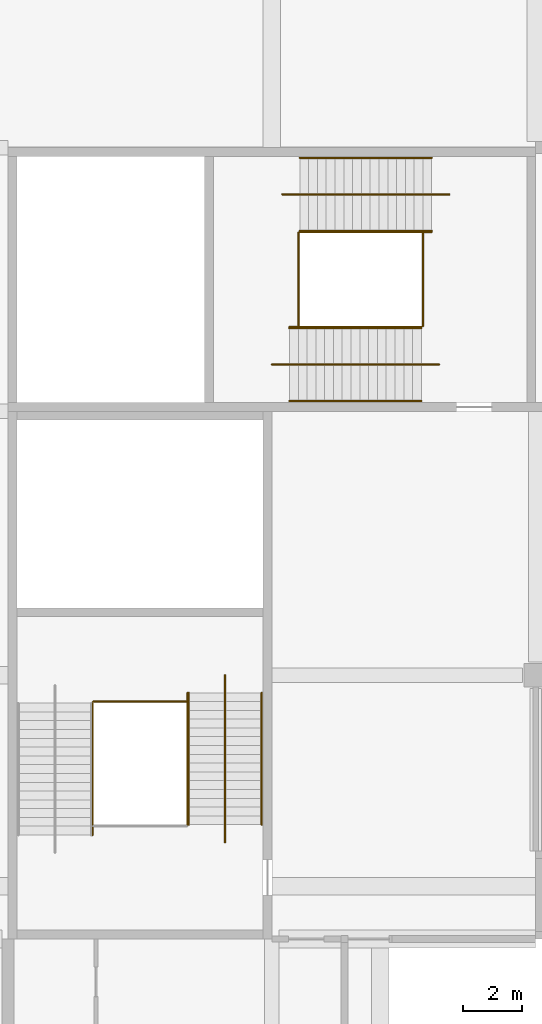
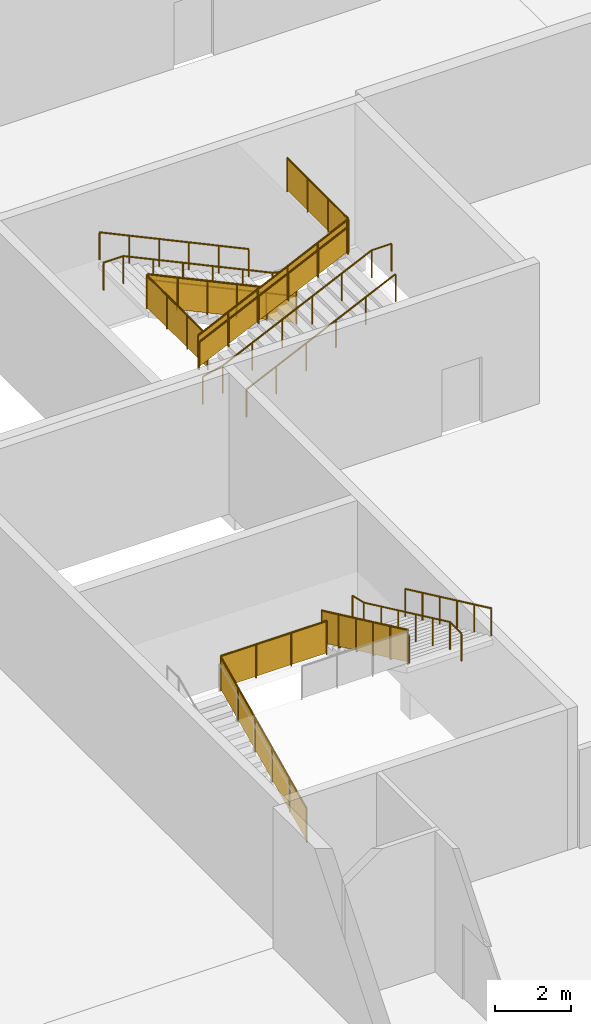
# One storey, part 149 of 168: 16 railings.
"""IFC4 building model written with IfcOpenShell, lengths in metres."""

from ifc_helpers import new_model, si_unit, direction, frame, origin, origin_2d, place, context, subcontext, project, spatial, polyline, circle, outline, extrude, material, type_object, element, save


model = new_model("IFC4")

# Units and contexts
model_context = context("Model", 3, precision=1e-05, world=origin(), true_north=direction((0.0, 1.0)))
body_context = subcontext(model_context, "Body", "Model", "MODEL_VIEW")
ifc_project = project(units=[si_unit("LENGTHUNIT", "METRE"), si_unit("AREAUNIT", "SQUARE_METRE"), si_unit("VOLUMEUNIT", "CUBIC_METRE"), si_unit("PLANEANGLEUNIT", "RADIAN"), si_unit("MASSUNIT", "GRAM", prefix="KILO")], contexts=[model_context])

# Site, building, storey
site_placement = place(None, origin())
site = spatial("IfcSite", under=ifc_project, at=site_placement, CompositionType="ELEMENT")
building_placement = place(site_placement, origin())
building = spatial("IfcBuilding", under=site, at=building_placement, Name="Silverbay Arena", CompositionType="ELEMENT")
storey_placement = place(building_placement, frame((0.0, 0.0, 7.0)))
storey = spatial("IfcBuildingStorey", under=building, at=storey_placement, Name="L01", CompositionType="ELEMENT", Elevation=7.0)

# Railings
ifc_material_1 = material(Name="Stainless steel", Category="steel")
railing_type_1 = type_object("IfcRailingType", Name="Stair guard 1100", PredefinedType="GUARDRAIL", material=ifc_material_1)
railing_1_placement = place(storey_placement, frame((86.453369140625, 123.125, 0.140625)))
element("IfcRailing", 1, at=railing_1_placement, inside=storey, type_object=railing_type_1, Name="Stair ST-NW1 L01 to L02 flight 1 guard left", PredefinedType="GUARDRAIL", context=body_context, shape_type="SweptSolid", body=[
    extrude(circle(Radius=0.02392578125, at=origin_2d()), frame((0.0, 0.0, 1.076171875), z_axis=(-0.905458935959, 0.0, 0.424433876231), x_axis=(0.0, -1.0, 0.0)), (0.0, 0.0, 1.0), 4.969970703125),
    extrude(outline(polyline([(-0.008056640625, 0.046142578125), (0.907958984375, 0.4755859375), (0.907958984375, 1.478515625), (-0.008056640625, 1.04931640625), (-0.008056640625, 0.046142578125)])), frame((0.0, -0.0029296875, 0.0), z_axis=(0.0, 1.0, 0.0), x_axis=(-1.0, 0.0, 0.0)), (0.0, 0.0, 1.0), 0.006103515625),
    extrude(outline(polyline([(-0.008056640625, 0.468017578125), (0.907958984375, 0.8974609375), (0.907958984375, 1.900390625), (-0.008056640625, 1.47119140625), (-0.008056640625, 0.468017578125)])), frame((-0.89990234375, -0.0029296875, 0.0), z_axis=(0.0, 1.0, 0.0), x_axis=(-1.0, 0.0, 0.0)), (0.0, 0.0, 1.0), 0.006103515625),
    extrude(outline(polyline([(-0.008056640625, 0.889892578125), (0.907958984375, 1.3193359375), (0.907958984375, 2.322265625), (-0.008056640625, 1.89306640625), (-0.008056640625, 0.889892578125)])), frame((-1.800048828125, -0.0029296875, 0.0), z_axis=(0.0, 1.0, 0.0), x_axis=(-1.0, 0.0, 0.0)), (0.0, 0.0, 1.0), 0.006103515625),
    extrude(outline(polyline([(-0.008056640625, 1.311767578125), (0.907958984375, 1.7412109375), (0.907958984375, 2.744140625), (-0.008056640625, 2.31494140625), (-0.008056640625, 1.311767578125)])), frame((-2.699951171875, -0.0029296875, 0.0), z_axis=(0.0, 1.0, 0.0), x_axis=(-1.0, 0.0, 0.0)), (0.0, 0.0, 1.0), 0.006103515625),
    extrude(outline(polyline([(-0.008056640625, 1.733642578125), (0.907958984375, 2.1630859375), (0.907958984375, 3.166015625), (-0.008056640625, 2.73681640625), (-0.008056640625, 1.733642578125)])), frame((-3.60009765625, -0.0029296875, 0.0), z_axis=(0.0, 1.0, 0.0), x_axis=(-1.0, 0.0, 0.0)), (0.0, 0.0, 1.0), 0.006103515625),
    extrude(circle(Radius=0.02099609375, at=origin_2d()), origin(), (0.0, 0.0, 1.0), 1.052001953125),
    extrude(circle(Radius=0.02099609375, at=origin_2d()), frame((-0.89990234375, 0.0, 0.421875)), (0.0, 0.0, 1.0), 1.052001953125),
    extrude(circle(Radius=0.02099609375, at=origin_2d()), frame((-1.800048828125, 0.0, 0.84375)), (0.0, 0.0, 1.0), 1.052001953125),
    extrude(circle(Radius=0.02099609375, at=origin_2d()), frame((-2.699951171875, 0.0, 1.265625)), (0.0, 0.0, 1.0), 1.052001953125),
    extrude(circle(Radius=0.02099609375, at=origin_2d()), frame((-3.60009765625, 0.0, 1.6875)), (0.0, 0.0, 1.0), 1.052001953125),
    extrude(circle(Radius=0.02099609375, at=origin_2d()), frame((-4.5, 0.0, 2.109375)), (0.0, 0.0, 1.0), 1.052001953125),
])
railing_2_placement = place(storey_placement, frame((81.60009765625, 119.875, 2.390625)))
element("IfcRailing", 2, at=railing_2_placement, inside=storey, type_object=railing_type_1, Name="Stair ST-NW1 L01 to L02 flight 2 guard right", PredefinedType="GUARDRAIL", context=body_context, shape_type="SweptSolid", body=[
    extrude(circle(Radius=0.02392578125, at=origin_2d()), frame((0.0, 0.0, 1.076171875), z_axis=(0.905458935959, 0.0, 0.424433876231), x_axis=(0.0, 1.0, 0.0)), (0.0, 0.0, 1.0), 4.969970703125),
    extrude(outline(polyline([(-0.008056640625, 0.046142578125), (0.907958984375, 0.4755859375), (0.907958984375, 1.478515625), (-0.008056640625, 1.04931640625), (-0.008056640625, 0.046142578125)])), frame((0.0, 0.0029296875, 0.0), z_axis=(0.0, -1.0, 0.0), x_axis=(1.0, 0.0, 0.0)), (0.0, 0.0, 1.0), 0.006103515625),
    extrude(outline(polyline([(-0.008056640625, 0.468017578125), (0.907958984375, 0.8974609375), (0.907958984375, 1.900390625), (-0.008056640625, 1.47119140625), (-0.008056640625, 0.468017578125)])), frame((0.89990234375, 0.0029296875, 0.0), z_axis=(0.0, -1.0, 0.0), x_axis=(1.0, 0.0, 0.0)), (0.0, 0.0, 1.0), 0.006103515625),
    extrude(outline(polyline([(-0.008056640625, 0.889892578125), (0.907958984375, 1.3193359375), (0.907958984375, 2.322265625), (-0.008056640625, 1.89306640625), (-0.008056640625, 0.889892578125)])), frame((1.800048828125, 0.0029296875, 0.0), z_axis=(0.0, -1.0, 0.0), x_axis=(1.0, 0.0, 0.0)), (0.0, 0.0, 1.0), 0.006103515625),
    extrude(outline(polyline([(-0.008056640625, 1.311767578125), (0.907958984375, 1.7412109375), (0.907958984375, 2.744140625), (-0.008056640625, 2.31494140625), (-0.008056640625, 1.311767578125)])), frame((2.699951171875, 0.0029296875, 0.0), z_axis=(0.0, -1.0, 0.0), x_axis=(1.0, 0.0, 0.0)), (0.0, 0.0, 1.0), 0.006103515625),
    extrude(outline(polyline([(-0.008056640625, 1.733642578125), (0.907958984375, 2.1630859375), (0.907958984375, 3.166015625), (-0.008056640625, 2.73681640625), (-0.008056640625, 1.733642578125)])), frame((3.60009765625, 0.0029296875, 0.0), z_axis=(0.0, -1.0, 0.0), x_axis=(1.0, 0.0, 0.0)), (0.0, 0.0, 1.0), 0.006103515625),
    extrude(circle(Radius=0.02099609375, at=origin_2d()), origin(), (0.0, 0.0, 1.0), 1.052001953125),
    extrude(circle(Radius=0.02099609375, at=origin_2d()), frame((0.89990234375, 0.0, 0.421875)), (0.0, 0.0, 1.0), 1.052001953125),
    extrude(circle(Radius=0.02099609375, at=origin_2d()), frame((1.800048828125, 0.0, 0.84375)), (0.0, 0.0, 1.0), 1.052001953125),
    extrude(circle(Radius=0.02099609375, at=origin_2d()), frame((2.699951171875, 0.0, 1.265625)), (0.0, 0.0, 1.0), 1.052001953125),
    extrude(circle(Radius=0.02099609375, at=origin_2d()), frame((3.60009765625, 0.0, 1.6875)), (0.0, 0.0, 1.0), 1.052001953125),
    extrude(circle(Radius=0.02099609375, at=origin_2d()), frame((4.5, 0.0, 2.109375)), (0.0, 0.0, 1.0), 1.052001953125),
])
for number, where, name in (
    (3, (81.9033203125, 119.89990234375, 2.25), "Stair ST-NW1 L01 to L02 landing 1 guard"),
    (4, (86.14990234375, 119.89990234375, 4.5), "Stair ST-NW1 L01 to L02 landing 2 guard"),
):
    element("IfcRailing", number, at=place(storey_placement, frame(where)), inside=storey, type_object=railing_type_1, Name=name, PredefinedType="GUARDRAIL", context=body_context, shape_type="SweptSolid", body=[
        extrude(circle(Radius=0.02392578125, at=origin_2d()), frame((0.0, 0.0, 1.076171875), z_axis=(0.0, 1.0, 0.0), x_axis=(-1.0, 0.0, 0.0)), (0.0, 0.0, 1.0), 3.2001953125),
        extrude(outline(polyline([(-0.008056640625, 0.050048828125), (1.07470703125, 0.050048828125), (1.07470703125, 1.052978515625), (-0.008056640625, 1.052978515625), (-0.008056640625, 0.050048828125)])), frame((-0.0029296875, 0.0, 0.0), z_axis=(1.0, 0.0, 0.0), x_axis=(0.0, 1.0, 0.0)), (0.0, 0.0, 1.0), 0.006103515625),
        extrude(outline(polyline([(-0.008056640625, 0.050048828125), (1.07470703125, 0.050048828125), (1.07470703125, 1.052978515625), (-0.008056640625, 1.052978515625), (-0.008056640625, 0.050048828125)])), frame((-0.0029296875, 1.066650390625, 0.0), z_axis=(1.0, 0.0, 0.0), x_axis=(0.0, 1.0, 0.0)), (0.0, 0.0, 1.0), 0.006103515625),
        extrude(outline(polyline([(-0.008056640625, 0.050048828125), (1.07470703125, 0.050048828125), (1.07470703125, 1.052978515625), (-0.008056640625, 1.052978515625), (-0.008056640625, 0.050048828125)])), frame((-0.0029296875, 2.133544921875, 0.0), z_axis=(1.0, 0.0, 0.0), x_axis=(0.0, 1.0, 0.0)), (0.0, 0.0, 1.0), 0.006103515625),
        extrude(circle(Radius=0.02099609375, at=origin_2d()), origin(), (0.0, 0.0, 1.0), 1.052001953125),
        extrude(circle(Radius=0.02099609375, at=origin_2d()), frame((0.0, 1.066650390625, 0.0)), (0.0, 0.0, 1.0), 1.052001953125),
        extrude(circle(Radius=0.02099609375, at=origin_2d()), frame((0.0, 2.133544921875, 0.0)), (0.0, 0.0, 1.0), 1.052001953125),
        extrude(circle(Radius=0.02099609375, at=origin_2d()), frame((0.0, 3.2001953125, 0.0)), (0.0, 0.0, 1.0), 1.052001953125),
    ])
railing_3_placement = place(storey_placement, frame((74.875, 102.546630859375, 0.140625)))
element("IfcRailing", 5, at=railing_3_placement, inside=storey, type_object=railing_type_1, Name="Stair ST-NW2 L01 to L02 flight 1 guard left", PredefinedType="GUARDRAIL", context=body_context, shape_type="SweptSolid", body=[
    extrude(circle(Radius=0.02392578125, at=origin_2d()), frame((0.0, 0.0, 1.076171875), z_axis=(0.0, 0.905458935959, 0.424433876231), x_axis=(-1.0, 0.0, 0.0)), (0.0, 0.0, 1.0), 4.969970703125),
    extrude(outline(polyline([(-0.008056640625, 0.046142578125), (0.907958984375, 0.4755859375), (0.907958984375, 1.478515625), (-0.008056640625, 1.04931640625), (-0.008056640625, 0.046142578125)])), frame((-0.0029296875, 0.0, 0.0), z_axis=(1.0, 0.0, 0.0), x_axis=(0.0, 1.0, 0.0)), (0.0, 0.0, 1.0), 0.006103515625),
    extrude(outline(polyline([(-0.008056640625, 0.468017578125), (0.907958984375, 0.8974609375), (0.907958984375, 1.900390625), (-0.008056640625, 1.47119140625), (-0.008056640625, 0.468017578125)])), frame((-0.0029296875, 0.89990234375, 0.0), z_axis=(1.0, 0.0, 0.0), x_axis=(0.0, 1.0, 0.0)), (0.0, 0.0, 1.0), 0.006103515625),
    extrude(outline(polyline([(-0.008056640625, 0.889892578125), (0.907958984375, 1.3193359375), (0.907958984375, 2.322265625), (-0.008056640625, 1.89306640625), (-0.008056640625, 0.889892578125)])), frame((-0.0029296875, 1.800048828125, 0.0), z_axis=(1.0, 0.0, 0.0), x_axis=(0.0, 1.0, 0.0)), (0.0, 0.0, 1.0), 0.006103515625),
    extrude(outline(polyline([(-0.008056640625, 1.311767578125), (0.907958984375, 1.7412109375), (0.907958984375, 2.744140625), (-0.008056640625, 2.31494140625), (-0.008056640625, 1.311767578125)])), frame((-0.0029296875, 2.699951171875, 0.0), z_axis=(1.0, 0.0, 0.0), x_axis=(0.0, 1.0, 0.0)), (0.0, 0.0, 1.0), 0.006103515625),
    extrude(outline(polyline([(-0.008056640625, 1.733642578125), (0.907958984375, 2.1630859375), (0.907958984375, 3.166015625), (-0.008056640625, 2.73681640625), (-0.008056640625, 1.733642578125)])), frame((-0.0029296875, 3.60009765625, 0.0), z_axis=(1.0, 0.0, 0.0), x_axis=(0.0, 1.0, 0.0)), (0.0, 0.0, 1.0), 0.006103515625),
    extrude(circle(Radius=0.02099609375, at=origin_2d()), origin(), (0.0, 0.0, 1.0), 1.052001953125),
    extrude(circle(Radius=0.02099609375, at=origin_2d()), frame((0.0, 0.89990234375, 0.421875)), (0.0, 0.0, 1.0), 1.052001953125),
    extrude(circle(Radius=0.02099609375, at=origin_2d()), frame((0.0, 1.800048828125, 0.84375)), (0.0, 0.0, 1.0), 1.052001953125),
    extrude(circle(Radius=0.02099609375, at=origin_2d()), frame((0.0, 2.699951171875, 1.265625)), (0.0, 0.0, 1.0), 1.052001953125),
    extrude(circle(Radius=0.02099609375, at=origin_2d()), frame((0.0, 3.60009765625, 1.6875)), (0.0, 0.0, 1.0), 1.052001953125),
    extrude(circle(Radius=0.02099609375, at=origin_2d()), frame((0.0, 4.5, 2.109375)), (0.0, 0.0, 1.0), 1.052001953125),
])
railing_4_placement = place(storey_placement, frame((78.125, 107.39990234375, 2.390625)))
element("IfcRailing", 6, at=railing_4_placement, inside=storey, type_object=railing_type_1, Name="Stair ST-NW2 L01 to L02 flight 2 guard right", PredefinedType="GUARDRAIL", context=body_context, shape_type="SweptSolid", body=[
    extrude(circle(Radius=0.02392578125, at=origin_2d()), frame((0.0, 0.0, 1.076171875), z_axis=(0.0, -0.905458935959, 0.424433876231), x_axis=(1.0, 0.0, 0.0)), (0.0, 0.0, 1.0), 4.969970703125),
    extrude(outline(polyline([(-0.008056640625, 0.046142578125), (0.907958984375, 0.4755859375), (0.907958984375, 1.478515625), (-0.008056640625, 1.04931640625), (-0.008056640625, 0.046142578125)])), frame((0.0029296875, 0.0, 0.0), z_axis=(-1.0, 0.0, 0.0), x_axis=(0.0, -1.0, 0.0)), (0.0, 0.0, 1.0), 0.006103515625),
    extrude(outline(polyline([(-0.008056640625, 0.468017578125), (0.907958984375, 0.8974609375), (0.907958984375, 1.900390625), (-0.008056640625, 1.47119140625), (-0.008056640625, 0.468017578125)])), frame((0.0029296875, -0.89990234375, 0.0), z_axis=(-1.0, 0.0, 0.0), x_axis=(0.0, -1.0, 0.0)), (0.0, 0.0, 1.0), 0.006103515625),
    extrude(outline(polyline([(-0.008056640625, 0.889892578125), (0.907958984375, 1.3193359375), (0.907958984375, 2.322265625), (-0.008056640625, 1.89306640625), (-0.008056640625, 0.889892578125)])), frame((0.0029296875, -1.800048828125, 0.0), z_axis=(-1.0, 0.0, 0.0), x_axis=(0.0, -1.0, 0.0)), (0.0, 0.0, 1.0), 0.006103515625),
    extrude(outline(polyline([(-0.008056640625, 1.311767578125), (0.907958984375, 1.7412109375), (0.907958984375, 2.744140625), (-0.008056640625, 2.31494140625), (-0.008056640625, 1.311767578125)])), frame((0.0029296875, -2.699951171875, 0.0), z_axis=(-1.0, 0.0, 0.0), x_axis=(0.0, -1.0, 0.0)), (0.0, 0.0, 1.0), 0.006103515625),
    extrude(outline(polyline([(-0.008056640625, 1.733642578125), (0.907958984375, 2.1630859375), (0.907958984375, 3.166015625), (-0.008056640625, 2.73681640625), (-0.008056640625, 1.733642578125)])), frame((0.0029296875, -3.60009765625, 0.0), z_axis=(-1.0, 0.0, 0.0), x_axis=(0.0, -1.0, 0.0)), (0.0, 0.0, 1.0), 0.006103515625),
    extrude(circle(Radius=0.02099609375, at=origin_2d()), origin(), (0.0, 0.0, 1.0), 1.052001953125),
    extrude(circle(Radius=0.02099609375, at=origin_2d()), frame((0.0, -0.89990234375, 0.421875)), (0.0, 0.0, 1.0), 1.052001953125),
    extrude(circle(Radius=0.02099609375, at=origin_2d()), frame((0.0, -1.800048828125, 0.84375)), (0.0, 0.0, 1.0), 1.052001953125),
    extrude(circle(Radius=0.02099609375, at=origin_2d()), frame((0.0, -2.699951171875, 1.265625)), (0.0, 0.0, 1.0), 1.052001953125),
    extrude(circle(Radius=0.02099609375, at=origin_2d()), frame((0.0, -3.60009765625, 1.6875)), (0.0, 0.0, 1.0), 1.052001953125),
    extrude(circle(Radius=0.02099609375, at=origin_2d()), frame((0.0, -4.5, 2.109375)), (0.0, 0.0, 1.0), 1.052001953125),
])
railing_5_placement = place(storey_placement, frame((78.10009765625, 107.0966796875, 2.25)))
element("IfcRailing", 7, at=railing_5_placement, inside=storey, type_object=railing_type_1, Name="Stair ST-NW2 L01 to L02 landing 1 guard", PredefinedType="GUARDRAIL", context=body_context, shape_type="SweptSolid", body=[
    extrude(circle(Radius=0.02392578125, at=origin_2d()), frame((0.0, 0.0, 1.076171875), z_axis=(-1.0, 0.0, 0.0), x_axis=(0.0, -1.0, 0.0)), (0.0, 0.0, 1.0), 3.2001953125),
    extrude(outline(polyline([(-0.008056640625, 0.050048828125), (1.07470703125, 0.050048828125), (1.07470703125, 1.052978515625), (-0.008056640625, 1.052978515625), (-0.008056640625, 0.050048828125)])), frame((0.0, -0.0029296875, 0.0), z_axis=(0.0, 1.0, 0.0), x_axis=(-1.0, 0.0, 0.0)), (0.0, 0.0, 1.0), 0.006103515625),
    extrude(outline(polyline([(-0.008056640625, 0.050048828125), (1.07470703125, 0.050048828125), (1.07470703125, 1.052978515625), (-0.008056640625, 1.052978515625), (-0.008056640625, 0.050048828125)])), frame((-1.066650390625, -0.0029296875, 0.0), z_axis=(0.0, 1.0, 0.0), x_axis=(-1.0, 0.0, 0.0)), (0.0, 0.0, 1.0), 0.006103515625),
    extrude(outline(polyline([(-0.008056640625, 0.050048828125), (1.07470703125, 0.050048828125), (1.07470703125, 1.052978515625), (-0.008056640625, 1.052978515625), (-0.008056640625, 0.050048828125)])), frame((-2.133544921875, -0.0029296875, 0.0), z_axis=(0.0, 1.0, 0.0), x_axis=(-1.0, 0.0, 0.0)), (0.0, 0.0, 1.0), 0.006103515625),
    extrude(circle(Radius=0.02099609375, at=origin_2d()), origin(), (0.0, 0.0, 1.0), 1.052001953125),
    extrude(circle(Radius=0.02099609375, at=origin_2d()), frame((-1.066650390625, 0.0, 0.0)), (0.0, 0.0, 1.0), 1.052001953125),
    extrude(circle(Radius=0.02099609375, at=origin_2d()), frame((-2.133544921875, 0.0, 0.0)), (0.0, 0.0, 1.0), 1.052001953125),
    extrude(circle(Radius=0.02099609375, at=origin_2d()), frame((-3.2001953125, 0.0, 0.0)), (0.0, 0.0, 1.0), 1.052001953125),
])
ifc_material_2 = material(Name="Stainless steel", Category="steel")
railing_type_2 = type_object("IfcRailingType", Name="Stair handrail 900", PredefinedType="HANDRAIL", material=ifc_material_2)
for number, where, name in (
    (8, (86.453369140625, 123.1640625, 0.140625), "Stair ST-NW1 L01 to L02 flight 1 handrail left"),
    (9, (86.453369140625, 125.64990234375, 0.140625), "Stair ST-NW1 L01 to L02 flight 1 handrail right"),
):
    element("IfcRailing", number, at=place(storey_placement, frame(where)), inside=storey, type_object=railing_type_2, Name=name, PredefinedType="HANDRAIL", context=body_context, shape_type="SweptSolid", body=[
        extrude(circle(Radius=0.02392578125, at=origin_2d()), frame((0.0, 0.0, 0.8759765625), z_axis=(-0.905458935959, 0.0, 0.424433876231), x_axis=(0.0, -1.0, 0.0)), (0.0, 0.0, 1.0), 4.969970703125),
        extrude(circle(Radius=0.02099609375, at=origin_2d()), origin(), (0.0, 0.0, 1.0), 0.851806640625),
        extrude(circle(Radius=0.02099609375, at=origin_2d()), frame((-0.89990234375, 0.0, 0.421875)), (0.0, 0.0, 1.0), 0.851806640625),
        extrude(circle(Radius=0.02099609375, at=origin_2d()), frame((-1.800048828125, 0.0, 0.84375)), (0.0, 0.0, 1.0), 0.851806640625),
        extrude(circle(Radius=0.02099609375, at=origin_2d()), frame((-2.699951171875, 0.0, 1.265625)), (0.0, 0.0, 1.0), 0.851806640625),
        extrude(circle(Radius=0.02099609375, at=origin_2d()), frame((-3.60009765625, 0.0, 1.6875)), (0.0, 0.0, 1.0), 0.851806640625),
        extrude(circle(Radius=0.02099609375, at=origin_2d()), frame((-4.5, 0.0, 2.109375)), (0.0, 0.0, 1.0), 0.851806640625),
    ])
railing_6_placement = place(storey_placement, frame((87.053466796875, 124.39990234375, 0.0)))
element("IfcRailing", 10, at=railing_6_placement, inside=storey, type_object=railing_type_2, Name="Stair ST-NW1 L01 to L02 flight 1 central handrail", PredefinedType="HANDRAIL", context=body_context, shape_type="SweptSolid", body=[
    extrude(circle(Radius=0.02392578125, at=origin_2d()), frame((0.0, 0.0, 0.8759765625), z_axis=(-0.973624560196, 0.0, 0.228156121511), x_axis=(0.0, -1.0, 0.0)), (0.0, 0.0, 1.0), 0.616455078125),
    extrude(circle(Radius=0.02392578125, at=origin_2d()), frame((-0.60009765625, 0.0, 1.0166015625), z_axis=(-0.905458935959, 0.0, 0.424433876231), x_axis=(0.0, -1.0, 0.0)), (0.0, 0.0, 1.0), 4.969970703125),
    extrude(circle(Radius=0.02392578125, at=origin_2d()), frame((-5.10009765625, 0.0, 3.1259765625), z_axis=(-1.0, 0.0, 0.0), x_axis=(0.0, -1.0, 0.0)), (0.0, 0.0, 1.0), 0.599853515625),
    extrude(circle(Radius=0.02099609375, at=origin_2d()), origin(), (0.0, 0.0, 1.0), 0.851806640625),
    extrude(circle(Radius=0.02099609375, at=origin_2d()), frame((-0.60009765625, 0.0, 0.140625)), (0.0, 0.0, 1.0), 0.851806640625),
    extrude(circle(Radius=0.02099609375, at=origin_2d()), frame((-1.5, 0.0, 0.5625)), (0.0, 0.0, 1.0), 0.851806640625),
    extrude(circle(Radius=0.02099609375, at=origin_2d()), frame((-2.400146484375, 0.0, 0.984375)), (0.0, 0.0, 1.0), 0.851806640625),
    extrude(circle(Radius=0.02099609375, at=origin_2d()), frame((-3.300048828125, 0.0, 1.40625)), (0.0, 0.0, 1.0), 0.851806640625),
    extrude(circle(Radius=0.02099609375, at=origin_2d()), frame((-4.2001953125, 0.0, 1.828125)), (0.0, 0.0, 1.0), 0.851806640625),
    extrude(circle(Radius=0.02099609375, at=origin_2d()), frame((-5.10009765625, 0.0, 2.25)), (0.0, 0.0, 1.0), 0.851806640625),
    extrude(circle(Radius=0.02099609375, at=origin_2d()), frame((-5.699951171875, 0.0, 2.25)), (0.0, 0.0, 1.0), 0.851806640625),
])
for number, where, name in (
    (11, (81.60009765625, 117.35009765625, 2.390625), "Stair ST-NW1 L01 to L02 flight 2 handrail left"),
    (12, (81.60009765625, 119.8359375, 2.390625), "Stair ST-NW1 L01 to L02 flight 2 handrail right"),
):
    element("IfcRailing", number, at=place(storey_placement, frame(where)), inside=storey, type_object=railing_type_2, Name=name, PredefinedType="HANDRAIL", context=body_context, shape_type="SweptSolid", body=[
        extrude(circle(Radius=0.02392578125, at=origin_2d()), frame((0.0, 0.0, 0.8759765625), z_axis=(0.905458935959, 0.0, 0.424433876231), x_axis=(0.0, 1.0, 0.0)), (0.0, 0.0, 1.0), 4.969970703125),
        extrude(circle(Radius=0.02099609375, at=origin_2d()), origin(), (0.0, 0.0, 1.0), 0.851806640625),
        extrude(circle(Radius=0.02099609375, at=origin_2d()), frame((0.89990234375, 0.0, 0.421875)), (0.0, 0.0, 1.0), 0.851806640625),
        extrude(circle(Radius=0.02099609375, at=origin_2d()), frame((1.800048828125, 0.0, 0.84375)), (0.0, 0.0, 1.0), 0.851806640625),
        extrude(circle(Radius=0.02099609375, at=origin_2d()), frame((2.699951171875, 0.0, 1.265625)), (0.0, 0.0, 1.0), 0.851806640625),
        extrude(circle(Radius=0.02099609375, at=origin_2d()), frame((3.60009765625, 0.0, 1.6875)), (0.0, 0.0, 1.0), 0.851806640625),
        extrude(circle(Radius=0.02099609375, at=origin_2d()), frame((4.5, 0.0, 2.109375)), (0.0, 0.0, 1.0), 0.851806640625),
    ])
railing_7_placement = place(storey_placement, frame((81.0, 118.60009765625, 2.25)))
element("IfcRailing", 13, at=railing_7_placement, inside=storey, type_object=railing_type_2, Name="Stair ST-NW1 L01 to L02 flight 2 central handrail", PredefinedType="HANDRAIL", context=body_context, shape_type="SweptSolid", body=[
    extrude(circle(Radius=0.02392578125, at=origin_2d()), frame((0.0, 0.0, 0.8759765625), z_axis=(0.973624560196, 0.0, 0.228156121511), x_axis=(0.0, 1.0, 0.0)), (0.0, 0.0, 1.0), 0.616455078125),
    extrude(circle(Radius=0.02392578125, at=origin_2d()), frame((0.60009765625, 0.0, 1.0166015625), z_axis=(0.905458935959, 0.0, 0.424433876231), x_axis=(0.0, 1.0, 0.0)), (0.0, 0.0, 1.0), 4.969970703125),
    extrude(circle(Radius=0.02392578125, at=origin_2d()), frame((5.10009765625, 0.0, 3.1259765625), z_axis=(1.0, 0.0, 0.0), x_axis=(0.0, 1.0, 0.0)), (0.0, 0.0, 1.0), 0.599853515625),
    extrude(circle(Radius=0.02099609375, at=origin_2d()), origin(), (0.0, 0.0, 1.0), 0.851806640625),
    extrude(circle(Radius=0.02099609375, at=origin_2d()), frame((0.60009765625, 0.0, 0.140625)), (0.0, 0.0, 1.0), 0.851806640625),
    extrude(circle(Radius=0.02099609375, at=origin_2d()), frame((1.5, 0.0, 0.5625)), (0.0, 0.0, 1.0), 0.851806640625),
    extrude(circle(Radius=0.02099609375, at=origin_2d()), frame((2.400146484375, 0.0, 0.984375)), (0.0, 0.0, 1.0), 0.851806640625),
    extrude(circle(Radius=0.02099609375, at=origin_2d()), frame((3.300048828125, 0.0, 1.40625)), (0.0, 0.0, 1.0), 0.851806640625),
    extrude(circle(Radius=0.02099609375, at=origin_2d()), frame((4.2001953125, 0.0, 1.828125)), (0.0, 0.0, 1.0), 0.851806640625),
    extrude(circle(Radius=0.02099609375, at=origin_2d()), frame((5.10009765625, 0.0, 2.25)), (0.0, 0.0, 1.0), 0.851806640625),
    extrude(circle(Radius=0.02099609375, at=origin_2d()), frame((5.699951171875, 0.0, 2.25)), (0.0, 0.0, 1.0), 0.851806640625),
])
for number, where, name in (
    (14, (80.64990234375, 107.39990234375, 2.390625), "Stair ST-NW2 L01 to L02 flight 2 handrail left"),
    (15, (78.1640625, 107.39990234375, 2.390625), "Stair ST-NW2 L01 to L02 flight 2 handrail right"),
):
    element("IfcRailing", number, at=place(storey_placement, frame(where)), inside=storey, type_object=railing_type_2, Name=name, PredefinedType="HANDRAIL", context=body_context, shape_type="SweptSolid", body=[
        extrude(circle(Radius=0.02392578125, at=origin_2d()), frame((0.0, 0.0, 0.8759765625), z_axis=(0.0, -0.905458935959, 0.424433876231), x_axis=(1.0, 0.0, 0.0)), (0.0, 0.0, 1.0), 4.969970703125),
        extrude(circle(Radius=0.02099609375, at=origin_2d()), origin(), (0.0, 0.0, 1.0), 0.851806640625),
        extrude(circle(Radius=0.02099609375, at=origin_2d()), frame((0.0, -0.89990234375, 0.421875)), (0.0, 0.0, 1.0), 0.851806640625),
        extrude(circle(Radius=0.02099609375, at=origin_2d()), frame((0.0, -1.800048828125, 0.84375)), (0.0, 0.0, 1.0), 0.851806640625),
        extrude(circle(Radius=0.02099609375, at=origin_2d()), frame((0.0, -2.699951171875, 1.265625)), (0.0, 0.0, 1.0), 0.851806640625),
        extrude(circle(Radius=0.02099609375, at=origin_2d()), frame((0.0, -3.60009765625, 1.6875)), (0.0, 0.0, 1.0), 0.851806640625),
        extrude(circle(Radius=0.02099609375, at=origin_2d()), frame((0.0, -4.5, 2.109375)), (0.0, 0.0, 1.0), 0.851806640625),
    ])
railing_8_placement = place(storey_placement, frame((79.39990234375, 108.0, 2.25)))
element("IfcRailing", 16, at=railing_8_placement, inside=storey, type_object=railing_type_2, Name="Stair ST-NW2 L01 to L02 flight 2 central handrail", PredefinedType="HANDRAIL", context=body_context, shape_type="SweptSolid", body=[
    extrude(circle(Radius=0.02392578125, at=origin_2d()), frame((0.0, 0.0, 0.8759765625), z_axis=(0.0, -0.973624560196, 0.228156121511), x_axis=(1.0, 0.0, 0.0)), (0.0, 0.0, 1.0), 0.616455078125),
    extrude(circle(Radius=0.02392578125, at=origin_2d()), frame((0.0, -0.60009765625, 1.0166015625), z_axis=(0.0, -0.905458935959, 0.424433876231), x_axis=(1.0, 0.0, 0.0)), (0.0, 0.0, 1.0), 4.969970703125),
    extrude(circle(Radius=0.02392578125, at=origin_2d()), frame((0.0, -5.10009765625, 3.1259765625), z_axis=(0.0, -1.0, 0.0), x_axis=(1.0, 0.0, 0.0)), (0.0, 0.0, 1.0), 0.599853515625),
    extrude(circle(Radius=0.02099609375, at=origin_2d()), origin(), (0.0, 0.0, 1.0), 0.851806640625),
    extrude(circle(Radius=0.02099609375, at=origin_2d()), frame((0.0, -0.60009765625, 0.140625)), (0.0, 0.0, 1.0), 0.851806640625),
    extrude(circle(Radius=0.02099609375, at=origin_2d()), frame((0.0, -1.5, 0.5625)), (0.0, 0.0, 1.0), 0.851806640625),
    extrude(circle(Radius=0.02099609375, at=origin_2d()), frame((0.0, -2.400146484375, 0.984375)), (0.0, 0.0, 1.0), 0.851806640625),
    extrude(circle(Radius=0.02099609375, at=origin_2d()), frame((0.0, -3.300048828125, 1.40625)), (0.0, 0.0, 1.0), 0.851806640625),
    extrude(circle(Radius=0.02099609375, at=origin_2d()), frame((0.0, -4.2001953125, 1.828125)), (0.0, 0.0, 1.0), 0.851806640625),
    extrude(circle(Radius=0.02099609375, at=origin_2d()), frame((0.0, -5.10009765625, 2.25)), (0.0, 0.0, 1.0), 0.851806640625),
    extrude(circle(Radius=0.02099609375, at=origin_2d()), frame((0.0, -5.699951171875, 2.25)), (0.0, 0.0, 1.0), 0.851806640625),
])

save(model, "model.ifc")
